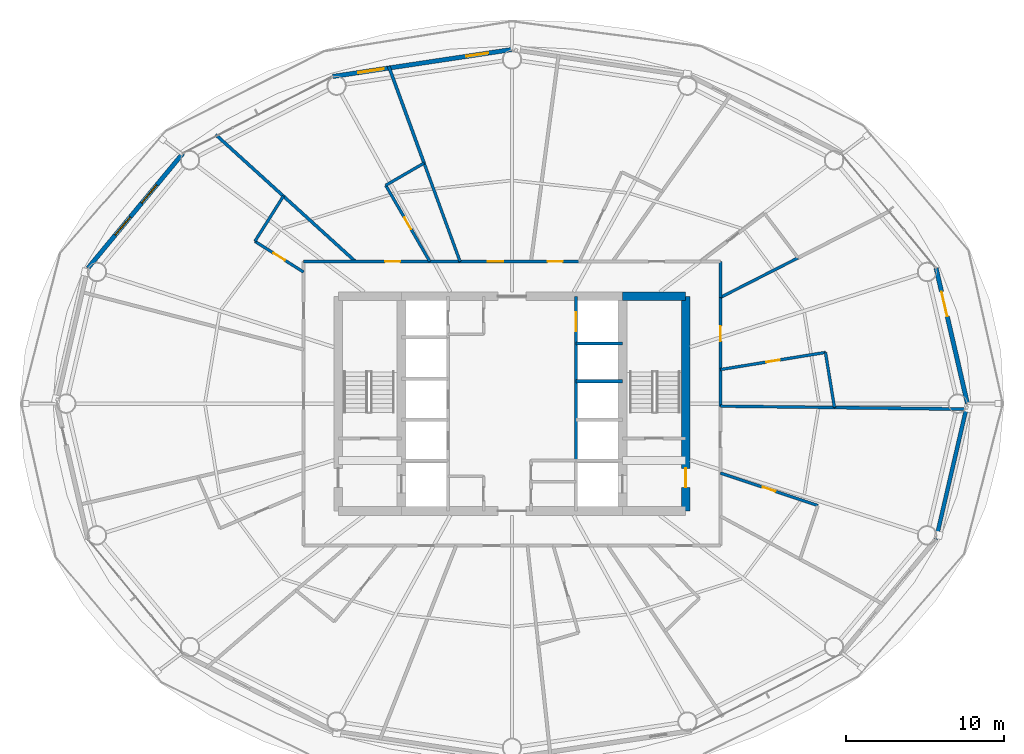
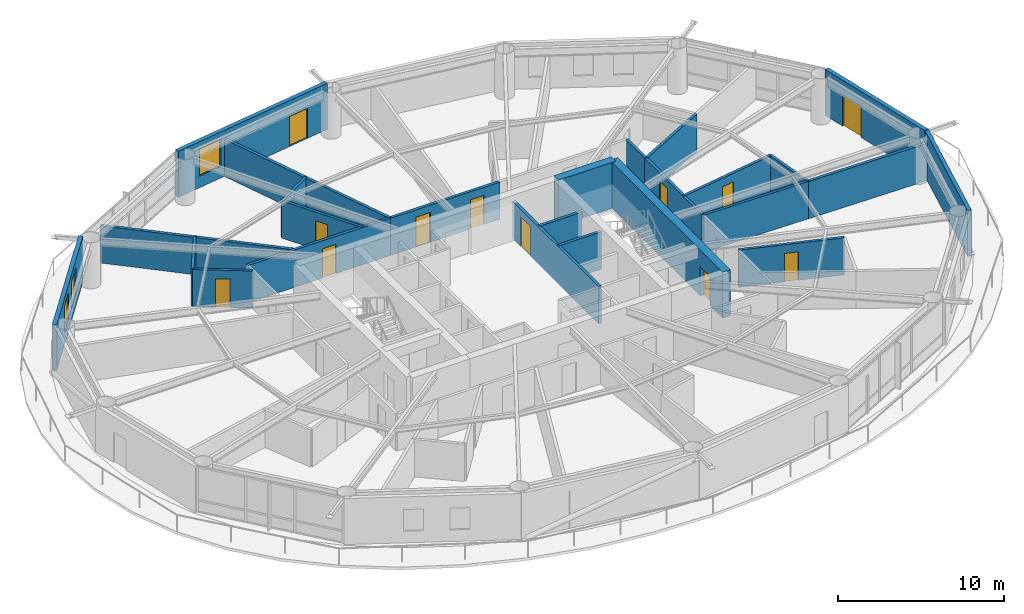
# One storey, part 20 of 24: 26 walls, 12 doors, 3 windows, 15 openings.
"""IFC4 building model written with IfcOpenShell, lengths in metres."""

from ifc_helpers import new_model, si_unit, direction, frame, frame_2d, origin, place, context, subcontext, project, spatial, rectangle, extrude, material, layer, layer_set, type_object, element, fill, save


model = new_model("IFC4")

# Units and contexts
model_context = context("Model", 3, precision=1e-05, world=origin(), true_north=direction((0.0, 1.0)))
body_context = subcontext(model_context, "Body", "Model", "MODEL_VIEW")
ifc_project = project(units=[si_unit("LENGTHUNIT", "METRE"), si_unit("AREAUNIT", "SQUARE_METRE"), si_unit("VOLUMEUNIT", "CUBIC_METRE"), si_unit("PLANEANGLEUNIT", "RADIAN"), si_unit("MASSUNIT", "GRAM", prefix="KILO")], contexts=[model_context])

# Site, building, storey
site_placement = place(None, origin())
site = spatial("IfcSite", under=ifc_project, at=site_placement, CompositionType="ELEMENT")
building_placement = place(site_placement, origin())
building = spatial("IfcBuilding", under=site, at=building_placement, Name="Sarneth Arch Tower", CompositionType="ELEMENT")
storey_placement = place(building_placement, frame((0.0, 0.0, 112.800048828125)))
storey = spatial("IfcBuildingStorey", under=building, at=storey_placement, Name="L28", CompositionType="ELEMENT", Elevation=112.800048828125)

# Wall
ifc_material_1 = material(Name="Concrete C60/75", Category="concrete")
ifc_layer_1 = layer(ifc_material_1, 0.550048828125)
ifc_layer_set_1 = layer_set([ifc_layer_1], Name="Concrete C60/75")
wall_type_1 = type_object("IfcWallType", Name="WALL-CORE-550", PredefinedType="SHEAR", material=ifc_layer_set_1)
wall_1_placement = place(storey_placement, frame((55.0, 48.800048828125, 0.0), z_axis=(0.0, 0.0, 1.0), x_axis=(1.0, 0.0, 0.0)))
element("IfcWall", 1, at=wall_1_placement, inside=storey, type_object=wall_type_1, Name="L28 Core shear wall N-E", PredefinedType="SHEAR", context=body_context, shape_type="SweptSolid", body=[
    extrude(rectangle(XDim=4.0, YDim=0.550048828125, at=frame_2d((2.0, 0.0))), origin(), (0.0, 0.0, 1.0), 3.3798828125),
])

# Wall, opening, door
wall_2_placement = place(storey_placement, frame((59.0, 35.199951171875, 0.0), z_axis=(0.0, 0.0, 1.0), x_axis=(0.0, 1.0, 0.0)))
wall_2 = element("IfcWall", 2, at=wall_2_placement, inside=storey, type_object=wall_type_1, Name="L28 Core shear wall E", PredefinedType="SHEAR", context=body_context, shape_type="SweptSolid", body=[
    extrude(rectangle(XDim=13.60009765625, YDim=0.550048828125, at=frame_2d((6.800048828125, 0.0))), origin(), (0.0, 0.0, 1.0), 3.3798828125),
])
opening_1_placement = place(wall_2_placement, frame((1.5, 0.0, 0.0)))
opening_1 = element("IfcOpeningElement", 3, at=opening_1_placement, cuts=wall_2, Name="Opening FD-02", PredefinedType="OPENING", context=body_context, shape_type="SweptSolid", body=[
    extrude(rectangle(XDim=1.199951171875, YDim=2.14990234375, at=frame_2d((0.60009765625, 1.074951171875))), frame((0.0, 0.284912109375, 0.0), z_axis=(0.0, -1.0, 0.0), x_axis=(1.0, 0.0, 0.0)), (0.0, 0.0, 1.0), 0.570068359375),
])
ifc_material_2 = material(Name="Galvanised Steel S275 fire door set", Category="steel")
door_type_1 = type_object("IfcDoorType", Name="DR-FD90-1200", OperationType="SINGLE_SWING_LEFT", PredefinedType="DOOR", material=ifc_material_2)
door_1_placement = place(opening_1_placement, origin())
door_1 = element("IfcDoor", 4, at=door_1_placement, inside=storey, type_object=door_type_1, Name="L28 Firefighting lobby 2 exit door", OperationType="SINGLE_SWING_RIGHT", OverallHeight=2.14990234375, OverallWidth=1.199951171875, PredefinedType="DOOR", context=body_context, shape_type="SweptSolid", body=[
    extrude(rectangle(XDim=1.199951171875, YDim=2.14990234375, at=frame_2d((0.60009765625, 1.074951171875))), frame((0.0, 0.02490234375, 0.0), z_axis=(0.0, -1.0, 0.0), x_axis=(1.0, 0.0, 0.0)), (0.0, 0.0, 1.0), 0.050048828125),
])
fill(opening_1, door_1)

ifc_material_3 = material(Name="Double steel-stud corridor fire wall", Category="steel")
ifc_layer_2 = layer(ifc_material_3, 0.18994140625)
ifc_layer_set_2 = layer_set([ifc_layer_2], Name="Double steel-stud corridor fire wall")
wall_type_2 = type_object("IfcWallType", Name="WALL-CORR-190", PredefinedType="PARTITIONING", material=ifc_layer_set_2)
wall_3_placement = place(storey_placement, frame((34.800048828125, 51.0, 0.0), z_axis=(0.0, 0.0, 1.0), x_axis=(1.0, 0.0, 0.0)))
wall_3 = element("IfcWall", 5, at=wall_3_placement, inside=storey, type_object=wall_type_2, Name="L28 Interior partition W-L28-TP-007", PredefinedType="PARTITIONING", context=body_context, shape_type="SweptSolid", body=[
    extrude(rectangle(XDim=9.944580078125, YDim=0.18994140625, at=frame_2d((4.97216796875, 0.0))), origin(), (0.0, 0.0, 1.0), 2.739990234375),
])
opening_2_placement = place(wall_3_placement, frame((5.159423828125, 0.0, 0.0)))
opening_2 = element("IfcOpeningElement", 6, at=opening_2_placement, cuts=wall_3, Name="Opening FD-09", PredefinedType="OPENING", context=body_context, shape_type="SweptSolid", body=[
    extrude(rectangle(XDim=0.949951171875, YDim=2.14990234375, at=frame_2d((0.47509765625, 1.074951171875))), frame((0.0, 0.10498046875, 0.0), z_axis=(0.0, -1.0, 0.0), x_axis=(1.0, 0.0, 0.0)), (0.0, 0.0, 1.0), 0.2099609375),
])
ifc_material_4 = material(Name="Hardwood timber hotel entrance fire door", Category="wood")
door_type_2 = type_object("IfcDoorType", Name="DR-FD60-950", OperationType="SINGLE_SWING_RIGHT", PredefinedType="DOOR", material=ifc_material_4)
door_2_placement = place(opening_2_placement, origin())
door_2 = element("IfcDoor", 7, at=door_2_placement, inside=storey, type_object=door_type_2, Name="L28 Interior door DR-L28-KEY-04", OperationType="SINGLE_SWING_LEFT", OverallHeight=2.14990234375, OverallWidth=0.949951171875, PredefinedType="DOOR", context=body_context, shape_type="SweptSolid", body=[
    extrude(rectangle(XDim=0.949951171875, YDim=2.14990234375, at=frame_2d((0.47509765625, 1.074951171875))), frame((0.0, 0.02490234375, 0.0), z_axis=(0.0, -1.0, 0.0), x_axis=(1.0, 0.0, 0.0)), (0.0, 0.0, 1.0), 0.050048828125),
])
fill(opening_2, door_2)

wall_4_placement = place(storey_placement, frame((61.199951171875, 41.80859375, 0.0), z_axis=(0.0, 0.0, 1.0), x_axis=(0.0, 1.0, 0.0)))
wall_4 = element("IfcWall", 8, at=wall_4_placement, inside=storey, type_object=wall_type_2, Name="L28 Interior partition W-L28-TP-026", PredefinedType="PARTITIONING", context=body_context, shape_type="SweptSolid", body=[
    extrude(rectangle(XDim=6.9169921875, YDim=0.18994140625, at=frame_2d((3.45849609375, 0.0))), origin(), (0.0, 0.0, 1.0), 2.739990234375),
])
opening_3_placement = place(wall_4_placement, frame((4.157470703125, 0.0, 0.0)))
opening_3 = element("IfcOpeningElement", 9, at=opening_3_placement, cuts=wall_4, Name="Opening FD-09", PredefinedType="OPENING", context=body_context, shape_type="SweptSolid", body=[
    extrude(rectangle(XDim=0.949951171875, YDim=2.14990234375, at=frame_2d((0.47509765625, 1.074951171875))), frame((0.0, 0.10498046875, 0.0), z_axis=(0.0, -1.0, 0.0), x_axis=(1.0, 0.0, 0.0)), (0.0, 0.0, 1.0), 0.2099609375),
])
door_3_placement = place(opening_3_placement, origin())
door_3 = element("IfcDoor", 10, at=door_3_placement, inside=storey, type_object=door_type_2, Name="L28 Interior door DR-L28-KEY-13", OperationType="SINGLE_SWING_RIGHT", OverallHeight=2.14990234375, OverallWidth=0.949951171875, PredefinedType="DOOR", context=body_context, shape_type="SweptSolid", body=[
    extrude(rectangle(XDim=0.949951171875, YDim=2.14990234375, at=frame_2d((0.47509765625, 1.074951171875))), frame((0.0, 0.02490234375, 0.0), z_axis=(0.0, -1.0, 0.0), x_axis=(1.0, 0.0, 0.0)), (0.0, 0.0, 1.0), 0.050048828125),
])
fill(opening_3, door_3)

# Wall, openings, doors
wall_5_placement = place(storey_placement, frame((44.676513671875, 51.0, 0.0), z_axis=(0.0, 0.0, 1.0), x_axis=(1.0, 0.0, 0.0)))
wall_5 = element("IfcWall", 11, at=wall_5_placement, inside=storey, type_object=wall_type_2, Name="L28 Interior partition W-L28-TP-006", PredefinedType="PARTITIONING", context=body_context, shape_type="SweptSolid", body=[
    extrude(rectangle(XDim=7.62060546875, YDim=0.18994140625, at=frame_2d((3.810302734375, 0.0))), origin(), (0.0, 0.0, 1.0), 2.739990234375),
])
opening_4_placement = place(wall_5_placement, frame((1.779541015625, 0.0, 0.0)))
opening_4 = element("IfcOpeningElement", 12, at=opening_4_placement, cuts=wall_5, Name="Opening FD-08", PredefinedType="OPENING", context=body_context, shape_type="SweptSolid", body=[
    extrude(rectangle(XDim=1.0, YDim=2.199951171875, at=frame_2d((0.5, 1.10009765625))), frame((0.0, 0.10498046875, 0.0), z_axis=(0.0, -1.0, 0.0), x_axis=(1.0, 0.0, 0.0)), (0.0, 0.0, 1.0), 0.2099609375),
])
opening_5_placement = place(wall_5_placement, frame((5.58251953125, 0.0, 0.0)))
opening_5 = element("IfcOpeningElement", 13, at=opening_5_placement, cuts=wall_5, Name="Opening FD-09", PredefinedType="OPENING", context=body_context, shape_type="SweptSolid", body=[
    extrude(rectangle(XDim=0.949951171875, YDim=2.14990234375, at=frame_2d((0.47509765625, 1.074951171875))), frame((0.0, 0.10498046875, 0.0), z_axis=(0.0, -1.0, 0.0), x_axis=(1.0, 0.0, 0.0)), (0.0, 0.0, 1.0), 0.2099609375),
])
ifc_material_5 = material(Name="Hardwood timber acoustic fire door", Category="wood")
door_type_3 = type_object("IfcDoorType", Name="DR-FD60-1000", OperationType="SINGLE_SWING_LEFT", PredefinedType="DOOR", material=ifc_material_5)
door_4_placement = place(opening_4_placement, origin())
door_4 = element("IfcDoor", 14, at=door_4_placement, inside=storey, type_object=door_type_3, Name="L28 Interior door DR-L28-AMN-03", OperationType="SINGLE_SWING_RIGHT", OverallHeight=2.199951171875, OverallWidth=1.0, PredefinedType="DOOR", context=body_context, shape_type="SweptSolid", body=[
    extrude(rectangle(XDim=1.0, YDim=2.199951171875, at=frame_2d((0.5, 1.10009765625))), frame((0.0, 0.02490234375, 0.0), z_axis=(0.0, -1.0, 0.0), x_axis=(1.0, 0.0, 0.0)), (0.0, 0.0, 1.0), 0.050048828125),
])
fill(opening_4, door_4)
door_5_placement = place(opening_5_placement, origin())
door_5 = element("IfcDoor", 15, at=door_5_placement, inside=storey, type_object=door_type_2, Name="L28 Interior door DR-L28-KEY-02", OperationType="SINGLE_SWING_RIGHT", OverallHeight=2.14990234375, OverallWidth=0.949951171875, PredefinedType="DOOR", context=body_context, shape_type="SweptSolid", body=[
    extrude(rectangle(XDim=0.949951171875, YDim=2.14990234375, at=frame_2d((0.47509765625, 1.074951171875))), frame((0.0, 0.02490234375, 0.0), z_axis=(0.0, -1.0, 0.0), x_axis=(1.0, 0.0, 0.0)), (0.0, 0.0, 1.0), 0.050048828125),
])
fill(opening_5, door_5)

# Wall
ifc_material_6 = material(Name="Extruded terracotta rainscreen on Concrete C40/50 backing", Category="masonry")
ifc_layer_3 = layer(ifc_material_6, 0.25)
ifc_layer_set_3 = layer_set([ifc_layer_3], Name="Extruded terracotta rainscreen on Concrete C40/50 backing")
wall_type_3 = type_object("IfcWallType", Name="WALL-EXT-SPAND-250", PredefinedType="SOLIDWALL", material=ifc_layer_set_3)
wall_6_placement = place(storey_placement, frame((74.861328125, 33.41650390625, 0.0), z_axis=(0.0, 0.0, 1.0), x_axis=(0.22558597182, 0.974223264616, 0.0)))
element("IfcWall", 16, at=wall_6_placement, inside=storey, type_object=wall_type_3, Name="L28 Terracotta perimeter wall 16", PredefinedType="SOLIDWALL", context=body_context, shape_type="SweptSolid", body=[
    extrude(rectangle(XDim=8.810546875, YDim=0.25, at=frame_2d((4.4052734375, 0.0))), origin(), (0.0, 0.0, 1.0), 3.3798828125),
])

# Wall, opening, door
ifc_material_7 = material(Name="Extruded terracotta rainscreen on Concrete C40/50 backing", Category="masonry")
ifc_layer_4 = layer(ifc_material_7, 0.280029296875)
ifc_layer_set_4 = layer_set([ifc_layer_4], Name="Extruded terracotta rainscreen on Concrete C40/50 backing")
wall_type_4 = type_object("IfcWallType", Name="WALL-EXT-TERRA-280", PredefinedType="SOLIDWALL", material=ifc_layer_set_4)
wall_7_placement = place(storey_placement, frame((76.848876953125, 42.0, 0.0), z_axis=(0.0, 0.0, 1.0), x_axis=(-0.22558597182, 0.974223264616, 0.0)))
wall_7 = element("IfcWall", 17, at=wall_7_placement, inside=storey, type_object=wall_type_4, Name="L28 Terracotta perimeter wall 01", PredefinedType="SOLIDWALL", context=body_context, shape_type="SweptSolid", body=[
    extrude(rectangle(XDim=8.810546875, YDim=0.280029296875, at=frame_2d((4.4052734375, 0.0))), origin(), (0.0, 0.0, 1.0), 3.3798828125),
])
opening_6_placement = place(wall_7_placement, frame((5.674560546875, 0.0, 0.0)))
opening_6 = element("IfcOpeningElement", 18, at=opening_6_placement, cuts=wall_7, Name="Opening BD-1", PredefinedType="OPENING", context=body_context, shape_type="SweptSolid", body=[
    extrude(rectangle(XDim=1.60009765625, YDim=2.25, at=frame_2d((0.800048828125, 1.125))), frame((0.0, 0.14990234375, 0.0), z_axis=(0.0, -1.0, 0.0), x_axis=(1.0, 0.0, 0.0)), (0.0, 0.0, 1.0), 0.300048828125),
])
ifc_material_8 = material(Name="Thermally broken Aluminium 6063-T6 and laminated safety glass", Category="aluminium")
door_type_4 = type_object("IfcDoorType", Name="DR-BALC-GLZ-1600", OperationType="DOUBLE_DOOR_SINGLE_SWING", PredefinedType="DOOR", material=ifc_material_8)
door_6_placement = place(opening_6_placement, origin())
door_6 = element("IfcDoor", 19, at=door_6_placement, inside=storey, type_object=door_type_4, Name="L28 Balcony glazed door 01", OperationType="DOUBLE_DOOR_SINGLE_SWING", OverallHeight=2.25, OverallWidth=1.60009765625, PredefinedType="DOOR", context=body_context, shape_type="SweptSolid", body=[
    extrude(rectangle(XDim=1.60009765625, YDim=2.25, at=frame_2d((0.800048828125, 1.125))), frame((0.0, 0.02490234375, 0.0), z_axis=(0.0, -1.0, 0.0), x_axis=(1.0, 0.0, 0.0)), (0.0, 0.0, 1.0), 0.050048828125),
])
fill(opening_6, door_6)

# Wall, openings, door, window
wall_8_placement = place(storey_placement, frame((48.0, 64.429931640625, 0.0), z_axis=(0.0, 0.0, 1.0), x_axis=(-0.988877774656, -0.148730450117, 0.0)))
wall_8 = element("IfcWall", 20, at=wall_8_placement, inside=storey, type_object=wall_type_4, Name="L28 Terracotta perimeter wall 05", PredefinedType="SOLIDWALL", context=body_context, shape_type="SweptSolid", body=[
    extrude(rectangle(XDim=11.47900390625, YDim=0.280029296875, at=frame_2d((5.739501953125, 0.0))), origin(), (0.0, 0.0, 1.0), 3.3798828125),
])
opening_7_placement = place(wall_8_placement, frame((1.523681640625, 0.0, 0.0)))
opening_7 = element("IfcOpeningElement", 21, at=opening_7_placement, cuts=wall_8, Name="Opening BD-2", PredefinedType="OPENING", context=body_context, shape_type="SweptSolid", body=[
    extrude(rectangle(XDim=1.39990234375, YDim=2.199951171875, at=frame_2d((0.699951171875, 1.10009765625))), frame((0.0, 0.14990234375, 0.0), z_axis=(0.0, -1.0, 0.0), x_axis=(1.0, 0.0, 0.0)), (0.0, 0.0, 1.0), 0.300048828125),
])
opening_8_placement = place(wall_8_placement, frame((8.20458984375, 0.0, 0.85009765625)))
opening_8 = element("IfcOpeningElement", 22, at=opening_8_placement, cuts=wall_8, Name="Opening W-05", PredefinedType="OPENING", context=body_context, shape_type="SweptSolid", body=[
    extrude(rectangle(XDim=1.64990234375, YDim=2.0, at=frame_2d((0.824951171875, 1.0))), frame((0.0, 0.14990234375, 0.0), z_axis=(0.0, -1.0, 0.0), x_axis=(1.0, 0.0, 0.0)), (0.0, 0.0, 1.0), 0.300048828125),
])
ifc_material_9 = material(Name="Thermally broken Aluminium 6063-T6 and laminated safety glass", Category="aluminium")
door_type_5 = type_object("IfcDoorType", Name="DR-BALC-GLZ-1400", OperationType="SINGLE_SWING_LEFT", PredefinedType="DOOR", material=ifc_material_9)
door_7_placement = place(opening_7_placement, origin())
door_7 = element("IfcDoor", 23, at=door_7_placement, inside=storey, type_object=door_type_5, Name="L28 Balcony glazed door 05", OperationType="SINGLE_SWING_LEFT", OverallHeight=2.199951171875, OverallWidth=1.39990234375, PredefinedType="DOOR", context=body_context, shape_type="SweptSolid", body=[
    extrude(rectangle(XDim=1.39990234375, YDim=2.199951171875, at=frame_2d((0.699951171875, 1.10009765625))), frame((0.0, 0.02490234375, 0.0), z_axis=(0.0, -1.0, 0.0), x_axis=(1.0, 0.0, 0.0)), (0.0, 0.0, 1.0), 0.050048828125),
])
fill(opening_7, door_7)
ifc_material_10 = material(Name="Thermally broken Aluminium 6063-T6 and low-e laminated IGU", Category="aluminium")
window_type_1 = type_object("IfcWindowType", Name="WIN-TWR-1650x2000", PartitioningType="DOUBLE_PANEL_VERTICAL", PredefinedType="WINDOW", material=ifc_material_10)
window_1_placement = place(opening_8_placement, origin())
window_1 = element("IfcWindow", 24, at=window_1_placement, inside=storey, type_object=window_type_1, Name="L28 Exterior window 05A", OverallHeight=2.0, OverallWidth=1.64990234375, PartitioningType="SINGLE_PANEL", PredefinedType="WINDOW", context=body_context, shape_type="SweptSolid", body=[
    extrude(rectangle(XDim=1.64990234375, YDim=2.0, at=frame_2d((0.824951171875, 1.0))), frame((0.0, 0.030029296875, 0.0), z_axis=(0.0, -1.0, 0.0), x_axis=(1.0, 0.0, 0.0)), (0.0, 0.0, 1.0), 0.06005859375),
])
fill(opening_8, window_1)

# Wall, openings, windows
wall_9_placement = place(storey_placement, frame((27.159912109375, 57.8603515625, 0.0), z_axis=(0.0, 0.0, 1.0), x_axis=(-0.637505817448, -0.770445541696, 0.0)))
wall_9 = element("IfcWall", 25, at=wall_9_placement, inside=storey, type_object=wall_type_4, Name="L28 Terracotta perimeter wall 07", PredefinedType="SOLIDWALL", context=body_context, shape_type="SweptSolid", body=[
    extrude(rectangle(XDim=9.445068359375, YDim=0.280029296875, at=frame_2d((4.72265625, 0.0))), origin(), (0.0, 0.0, 1.0), 3.3798828125),
])
opening_9_placement = place(wall_9_placement, frame((2.5966796875, 0.0, 0.85009765625)))
opening_9 = element("IfcOpeningElement", 26, at=opening_9_placement, cuts=wall_9, Name="Opening W-06", PredefinedType="OPENING", context=body_context, shape_type="SweptSolid", body=[
    extrude(rectangle(XDim=1.5, YDim=2.0, at=frame_2d((0.75, 1.0))), frame((0.0, 0.14990234375, 0.0), z_axis=(0.0, -1.0, 0.0), x_axis=(1.0, 0.0, 0.0)), (0.0, 0.0, 1.0), 0.300048828125),
])
opening_10_placement = place(wall_9_placement, frame((5.23193359375, 0.0, 0.85009765625)))
opening_10 = element("IfcOpeningElement", 27, at=opening_10_placement, cuts=wall_9, Name="Opening W-06", PredefinedType="OPENING", context=body_context, shape_type="SweptSolid", body=[
    extrude(rectangle(XDim=1.5, YDim=2.0, at=frame_2d((0.75, 1.0))), frame((0.0, 0.14990234375, 0.0), z_axis=(0.0, -1.0, 0.0), x_axis=(1.0, 0.0, 0.0)), (0.0, 0.0, 1.0), 0.300048828125),
])
ifc_material_11 = material(Name="Thermally broken Aluminium 6063-T6 and low-e laminated IGU", Category="aluminium")
window_type_2 = type_object("IfcWindowType", Name="WIN-TWR-1500x2000", PartitioningType="SINGLE_PANEL", PredefinedType="WINDOW", material=ifc_material_11)
window_2_placement = place(opening_9_placement, origin())
window_2 = element("IfcWindow", 28, at=window_2_placement, inside=storey, type_object=window_type_2, Name="L28 Exterior window 07A", OverallHeight=2.0, OverallWidth=1.5, PartitioningType="SINGLE_PANEL", PredefinedType="WINDOW", context=body_context, shape_type="SweptSolid", body=[
    extrude(rectangle(XDim=1.5, YDim=2.0, at=frame_2d((0.75, 1.0))), frame((0.0, 0.030029296875, 0.0), z_axis=(0.0, -1.0, 0.0), x_axis=(1.0, 0.0, 0.0)), (0.0, 0.0, 1.0), 0.06005859375),
])
fill(opening_9, window_2)
window_3_placement = place(opening_10_placement, origin())
window_3 = element("IfcWindow", 29, at=window_3_placement, inside=storey, type_object=window_type_2, Name="L28 Exterior window 07B", OverallHeight=2.0, OverallWidth=1.5, PartitioningType="SINGLE_PANEL", PredefinedType="WINDOW", context=body_context, shape_type="SweptSolid", body=[
    extrude(rectangle(XDim=1.5, YDim=2.0, at=frame_2d((0.75, 1.0))), frame((0.0, 0.030029296875, 0.0), z_axis=(0.0, -1.0, 0.0), x_axis=(1.0, 0.0, 0.0)), (0.0, 0.0, 1.0), 0.06005859375),
])
fill(opening_10, window_3)

# Wall
ifc_material_12 = material(Name="Moisture-resistant plumbing chase wall", Category="gypsum")
ifc_layer_5 = layer(ifc_material_12, 0.179931640625)
ifc_layer_set_5 = layer_set([ifc_layer_5], Name="Moisture-resistant plumbing chase wall")
wall_type_5 = type_object("IfcWallType", Name="WALL-PLUMB-180", PredefinedType="PLUMBINGWALL", material=ifc_layer_set_5)
wall_10_placement = place(storey_placement, frame((68.4248046875, 41.753173828125, 0.0), z_axis=(0.0, 0.0, 1.0), x_axis=(-0.999926833816, 0.012096570355, 0.0)))
element("IfcWall", 30, at=wall_10_placement, inside=storey, type_object=wall_type_5, Name="L28 Interior partition W-L28-TP-068", PredefinedType="PLUMBINGWALL", context=body_context, shape_type="SweptSolid", body=[
    extrude(rectangle(XDim=7.225341796875, YDim=0.179931640625, at=frame_2d((3.61279296875, 0.0))), origin(), (0.0, 0.0, 1.0), 2.739990234375),
])

# Wall, opening, door
wall_11_placement = place(storey_placement, frame((61.199951171875, 44.156005859375, 0.0), z_axis=(0.0, 0.0, 1.0), x_axis=(0.986917247844, 0.161227621419, 0.0)))
wall_11 = element("IfcWall", 31, at=wall_11_placement, inside=storey, type_object=wall_type_5, Name="L28 Interior partition W-L28-TP-069", PredefinedType="PLUMBINGWALL", context=body_context, shape_type="SweptSolid", body=[
    extrude(rectangle(XDim=6.742919921875, YDim=0.179931640625, at=frame_2d((3.37158203125, 0.0))), origin(), (0.0, 0.0, 1.0), 2.739990234375),
])
opening_11_placement = place(wall_11_placement, frame((2.9462890625, 0.0, 0.0)))
opening_11 = element("IfcOpeningElement", 32, at=opening_11_placement, cuts=wall_11, Name="Opening ID-02", PredefinedType="OPENING", context=body_context, shape_type="SweptSolid", body=[
    extrude(rectangle(XDim=0.85009765625, YDim=2.10009765625, at=frame_2d((0.425048828125, 1.050048828125))), frame((0.0, 0.099853515625, 0.0), z_axis=(0.0, -1.0, 0.0), x_axis=(1.0, 0.0, 0.0)), (0.0, 0.0, 1.0), 0.199951171875),
])
ifc_material_13 = material(Name="Moisture-resistant bathroom timber door", Category="wood")
door_type_6 = type_object("IfcDoorType", Name="DR-INT-850", OperationType="SINGLE_SWING_RIGHT", PredefinedType="DOOR", material=ifc_material_13)
door_8_placement = place(opening_11_placement, origin())
door_8 = element("IfcDoor", 33, at=door_8_placement, inside=storey, type_object=door_type_6, Name="L28 Interior door DR-L28-ENS-13", OperationType="SINGLE_SWING_LEFT", OverallHeight=2.10009765625, OverallWidth=0.85009765625, PredefinedType="DOOR", context=body_context, shape_type="SweptSolid", body=[
    extrude(rectangle(XDim=0.85009765625, YDim=2.10009765625, at=frame_2d((0.425048828125, 1.050048828125))), frame((0.0, 0.02490234375, 0.0), z_axis=(0.0, -1.0, 0.0), x_axis=(1.0, 0.0, 0.0)), (0.0, 0.0, 1.0), 0.050048828125),
])
fill(opening_11, door_8)

# Wall
wall_12_placement = place(storey_placement, frame((42.431884765625, 57.234375, 0.0), z_axis=(0.0, 0.0, 1.0), x_axis=(0.343307767445, -0.939222964376, 0.0)))
element("IfcWall", 34, at=wall_12_placement, inside=storey, type_object=wall_type_5, Name="L28 Interior partition W-L28-TP-038", PredefinedType="PLUMBINGWALL", context=body_context, shape_type="SweptSolid", body=[
    extrude(rectangle(XDim=6.6376953125, YDim=0.179931640625, at=frame_2d((3.31884765625, 0.0))), origin(), (0.0, 0.0, 1.0), 2.739990234375),
])

# Wall, opening, door
wall_13_placement = place(storey_placement, frame((61.199951171875, 37.60498046875, 0.0), z_axis=(0.0, 0.0, 1.0), x_axis=(0.948788249983, -0.315912735884, 0.0)))
wall_13 = element("IfcWall", 35, at=wall_13_placement, inside=storey, type_object=wall_type_5, Name="L28 Interior partition W-L28-TP-065", PredefinedType="PLUMBINGWALL", context=body_context, shape_type="SweptSolid", body=[
    extrude(rectangle(XDim=6.51025390625, YDim=0.179931640625, at=frame_2d((3.255126953125, 0.0))), origin(), (0.0, 0.0, 1.0), 2.739990234375),
])
opening_12_placement = place(wall_13_placement, frame((2.830078125, 0.0, 0.0)))
opening_12 = element("IfcOpeningElement", 36, at=opening_12_placement, cuts=wall_13, Name="Opening ID-02", PredefinedType="OPENING", context=body_context, shape_type="SweptSolid", body=[
    extrude(rectangle(XDim=0.85009765625, YDim=2.10009765625, at=frame_2d((0.425048828125, 1.050048828125))), frame((0.0, 0.099853515625, 0.0), z_axis=(0.0, -1.0, 0.0), x_axis=(1.0, 0.0, 0.0)), (0.0, 0.0, 1.0), 0.199951171875),
])
door_9_placement = place(opening_12_placement, origin())
door_9 = element("IfcDoor", 37, at=door_9_placement, inside=storey, type_object=door_type_6, Name="L28 Interior door DR-L28-ENS-12", OperationType="SINGLE_SWING_LEFT", OverallHeight=2.10009765625, OverallWidth=0.85009765625, PredefinedType="DOOR", context=body_context, shape_type="SweptSolid", body=[
    extrude(rectangle(XDim=0.85009765625, YDim=2.10009765625, at=frame_2d((0.425048828125, 1.050048828125))), frame((0.0, 0.02490234375, 0.0), z_axis=(0.0, -1.0, 0.0), x_axis=(1.0, 0.0, 0.0)), (0.0, 0.0, 1.0), 0.050048828125),
])
fill(opening_12, door_9)

wall_14_placement = place(storey_placement, frame((42.794189453125, 51.0, 0.0), z_axis=(0.0, 0.0, 1.0), x_axis=(-0.500713600684, 0.865613014049, 0.0)))
wall_14 = element("IfcWall", 38, at=wall_14_placement, inside=storey, type_object=wall_type_5, Name="L28 Interior partition W-L28-TP-039", PredefinedType="PLUMBINGWALL", context=body_context, shape_type="SweptSolid", body=[
    extrude(rectangle(XDim=5.577880859375, YDim=0.179931640625, at=frame_2d((2.7890625, 0.0))), origin(), (0.0, 0.0, 1.0), 2.739990234375),
])
opening_13_placement = place(wall_14_placement, frame((2.364013671875, 0.0, 0.0)))
opening_13 = element("IfcOpeningElement", 39, at=opening_13_placement, cuts=wall_14, Name="Opening ID-02", PredefinedType="OPENING", context=body_context, shape_type="SweptSolid", body=[
    extrude(rectangle(XDim=0.85009765625, YDim=2.10009765625, at=frame_2d((0.425048828125, 1.050048828125))), frame((0.0, 0.099853515625, 0.0), z_axis=(0.0, -1.0, 0.0), x_axis=(1.0, 0.0, 0.0)), (0.0, 0.0, 1.0), 0.199951171875),
])
door_10_placement = place(opening_13_placement, origin())
door_10 = element("IfcDoor", 40, at=door_10_placement, inside=storey, type_object=door_type_6, Name="L28 Interior door DR-L28-ENS-04", OperationType="SINGLE_SWING_LEFT", OverallHeight=2.10009765625, OverallWidth=0.85009765625, PredefinedType="DOOR", context=body_context, shape_type="SweptSolid", body=[
    extrude(rectangle(XDim=0.85009765625, YDim=2.10009765625, at=frame_2d((0.425048828125, 1.050048828125))), frame((0.0, 0.02490234375, 0.0), z_axis=(0.0, -1.0, 0.0), x_axis=(1.0, 0.0, 0.0)), (0.0, 0.0, 1.0), 0.050048828125),
])
fill(opening_13, door_10)

# Wall
wall_15_placement = place(storey_placement, frame((66.117919921875, 51.2314453125, 0.0), z_axis=(0.0, 0.0, 1.0), x_axis=(-0.891004388837, -0.453994690579, 0.0)))
element("IfcWall", 41, at=wall_15_placement, inside=storey, type_object=wall_type_5, Name="L28 Interior partition W-L28-TP-033", PredefinedType="PLUMBINGWALL", context=body_context, shape_type="SweptSolid", body=[
    extrude(rectangle(XDim=5.51953125, YDim=0.179931640625, at=frame_2d((2.759765625, 0.0))), origin(), (0.0, 0.0, 1.0), 2.739990234375),
])

# Wall, opening, door
wall_16_placement = place(storey_placement, frame((31.71484375, 52.27978515625, 0.0), z_axis=(0.0, 0.0, 1.0), x_axis=(0.845617675202, -0.533789047645, 0.0)))
wall_16 = element("IfcWall", 42, at=wall_16_placement, inside=storey, type_object=wall_type_5, Name="L28 Interior partition W-L28-TP-044", PredefinedType="PLUMBINGWALL", context=body_context, shape_type="SweptSolid", body=[
    extrude(rectangle(XDim=3.6484375, YDim=0.179931640625, at=frame_2d((1.82421875, 0.0))), origin(), (0.0, 0.0, 1.0), 2.739990234375),
])
opening_14_placement = place(wall_16_placement, frame((1.399169921875, 0.0, 0.0)))
opening_14 = element("IfcOpeningElement", 43, at=opening_14_placement, cuts=wall_16, Name="Opening ID-02", PredefinedType="OPENING", context=body_context, shape_type="SweptSolid", body=[
    extrude(rectangle(XDim=0.85009765625, YDim=2.10009765625, at=frame_2d((0.425048828125, 1.050048828125))), frame((0.0, 0.099853515625, 0.0), z_axis=(0.0, -1.0, 0.0), x_axis=(1.0, 0.0, 0.0)), (0.0, 0.0, 1.0), 0.199951171875),
])
door_11_placement = place(opening_14_placement, origin())
door_11 = element("IfcDoor", 44, at=door_11_placement, inside=storey, type_object=door_type_6, Name="L28 Interior door DR-L28-ENS-05", OperationType="SINGLE_SWING_LEFT", OverallHeight=2.10009765625, OverallWidth=0.85009765625, PredefinedType="DOOR", context=body_context, shape_type="SweptSolid", body=[
    extrude(rectangle(XDim=0.85009765625, YDim=2.10009765625, at=frame_2d((0.425048828125, 1.050048828125))), frame((0.0, 0.02490234375, 0.0), z_axis=(0.0, -1.0, 0.0), x_axis=(1.0, 0.0, 0.0)), (0.0, 0.0, 1.0), 0.050048828125),
])
fill(opening_14, door_11)

# Walls
wall_17_placement = place(storey_placement, frame((67.854736328125, 45.2431640625, 0.0), z_axis=(0.0, 0.0, 1.0), x_axis=(0.161207379819, -0.986920554397, 0.0)))
element("IfcWall", 45, at=wall_17_placement, inside=storey, type_object=wall_type_5, Name="L28 Interior partition W-L28-TP-070", PredefinedType="PLUMBINGWALL", context=body_context, shape_type="SweptSolid", body=[
    extrude(rectangle(XDim=3.5361328125, YDim=0.179931640625, at=frame_2d((1.76806640625, 0.0))), origin(), (0.0, 0.0, 1.0), 2.739990234375),
])
wall_18_placement = place(storey_placement, frame((33.521728515625, 55.14208984375, 0.0), z_axis=(0.0, 0.0, 1.0), x_axis=(-0.533805735916, -0.845607140641, 0.0)))
element("IfcWall", 46, at=wall_18_placement, inside=storey, type_object=wall_type_5, Name="L28 Interior partition W-L28-TP-043", PredefinedType="PLUMBINGWALL", context=body_context, shape_type="SweptSolid", body=[
    extrude(rectangle(XDim=3.385009765625, YDim=0.179931640625, at=frame_2d((1.6923828125, 0.0))), origin(), (0.0, 0.0, 1.0), 2.739990234375),
])
wall_19_placement = place(storey_placement, frame((40.001220703125, 55.828369140625, 0.0), z_axis=(0.0, 0.0, 1.0), x_axis=(0.865614723212, 0.50071064594, 0.0)))
element("IfcWall", 47, at=wall_19_placement, inside=storey, type_object=wall_type_5, Name="L28 Interior partition W-L28-TP-040", PredefinedType="PLUMBINGWALL", context=body_context, shape_type="SweptSolid", body=[
    extrude(rectangle(XDim=2.80810546875, YDim=0.179931640625, at=frame_2d((1.404052734375, 0.0))), origin(), (0.0, 0.0, 1.0), 2.739990234375),
])
wall_20_placement = place(storey_placement, frame((61.199951171875, 48.7255859375, 0.0), z_axis=(0.0, 0.0, 1.0), x_axis=(0.0, 1.0, 0.0)))
element("IfcWall", 48, at=wall_20_placement, inside=storey, type_object=wall_type_5, Name="L28 Interior partition W-L28-TP-002", PredefinedType="PLUMBINGWALL", context=body_context, shape_type="SweptSolid", body=[
    extrude(rectangle(XDim=2.2744140625, YDim=0.179931640625, at=frame_2d((1.13720703125, 0.0))), origin(), (0.0, 0.0, 1.0), 2.739990234375),
])

# Wall, opening, door
ifc_material_14 = material(Name="Aerated concrete blockwork C25/30", Category="masonry")
ifc_layer_6 = layer(ifc_material_14, 0.199951171875)
ifc_layer_set_6 = layer_set([ifc_layer_6], Name="Aerated concrete blockwork C25/30")
wall_type_6 = type_object("IfcWallType", Name="WALL-SHAFT-200", PredefinedType="SOLIDWALL", material=ifc_layer_set_6)
wall_21_placement = place(storey_placement, frame((52.050048828125, 38.39990234375, 0.0), z_axis=(0.0, 0.0, 1.0), x_axis=(0.0, 1.0, 0.0)))
wall_21 = element("IfcWall", 49, at=wall_21_placement, inside=storey, type_object=wall_type_6, Name="L28 Interior partition W-L28-EASTBANK-FRONT", PredefinedType="SOLIDWALL", context=body_context, shape_type="SweptSolid", body=[
    extrude(rectangle(XDim=10.400146484375, YDim=0.199951171875, at=frame_2d((5.2001953125, 0.0))), origin(), (0.0, 0.0, 1.0), 2.739990234375),
])
opening_15_placement = place(wall_21_placement, frame((8.199951171875, 0.0, 0.0)))
opening_15 = element("IfcOpeningElement", 50, at=opening_15_placement, cuts=wall_21, Name="Opening LD-2", PredefinedType="OPENING", context=body_context, shape_type="SweptSolid", body=[
    extrude(rectangle(XDim=1.199951171875, YDim=2.199951171875, at=frame_2d((0.60009765625, 1.10009765625))), frame((0.0, 0.10986328125, 0.0), z_axis=(0.0, -1.0, 0.0), x_axis=(1.0, 0.0, 0.0)), (0.0, 0.0, 1.0), 0.219970703125),
])
ifc_material_15 = material(Name="Brushed Stainless Steel 304 service lift door", Category="steel")
door_type_7 = type_object("IfcDoorType", Name="DR-LIFT-SLIDE-1200", OperationType="SLIDING_TO_RIGHT", PredefinedType="DOOR", material=ifc_material_15)
door_12_placement = place(opening_15_placement, origin())
door_12 = element("IfcDoor", 51, at=door_12_placement, inside=storey, type_object=door_type_7, Name="L28 Lift landing door DR-L28-LD-SL1", OperationType="SLIDING_TO_RIGHT", OverallHeight=2.199951171875, OverallWidth=1.199951171875, PredefinedType="DOOR", context=body_context, shape_type="SweptSolid", body=[
    extrude(rectangle(XDim=1.199951171875, YDim=2.199951171875, at=frame_2d((0.60009765625, 1.10009765625))), frame((0.0, 0.02490234375, 0.0), z_axis=(0.0, -1.0, 0.0), x_axis=(1.0, 0.0, 0.0)), (0.0, 0.0, 1.0), 0.050048828125),
])
fill(opening_15, door_12)

# Walls
for number, where, z_axis, x_axis, name in (
    (52, (52.050048828125, 43.419921875, 0.0), (0.0, 0.0, 1.0), (1.0, 0.0, 0.0), "L28 Interior partition W-L28-EB-DIV-4342"),
    (53, (52.050048828125, 45.800048828125, 0.0), (0.0, 0.0, 1.0), (1.0, 0.0, 0.0), "L28 Interior partition W-L28-EB-DIV-4580"),
):
    element("IfcWall", number, at=place(storey_placement, frame(where, z_axis=z_axis, x_axis=x_axis)), inside=storey, type_object=wall_type_6, Name=name, PredefinedType="SOLIDWALL", context=body_context, shape_type="SweptSolid", body=[
        extrude(rectangle(XDim=2.949951171875, YDim=0.199951171875, at=frame_2d((1.47509765625, 0.0))), origin(), (0.0, 0.0, 1.0), 2.739990234375),
    ])
ifc_material_16 = material(Name="Double steel-stud acoustic drywall", Category="steel")
ifc_layer_7 = layer(ifc_material_16, 0.199951171875)
ifc_layer_set_7 = layer_set([ifc_layer_7], Name="Double steel-stud acoustic drywall")
wall_type_7 = type_object("IfcWallType", Name="WALL-UNIT-200", PredefinedType="PARTITIONING", material=ifc_layer_set_7)
wall_22_placement = place(storey_placement, frame((76.888427734375, 41.65087890625, 0.0), z_axis=(0.0, 0.0, 1.0), x_axis=(-0.9999269672, 0.012085539541, 0.0)))
element("IfcWall", 54, at=wall_22_placement, inside=storey, type_object=wall_type_7, Name="L28 Interior partition W-L28-TP-067", PredefinedType="PARTITIONING", context=body_context, shape_type="SweptSolid", body=[
    extrude(rectangle(XDim=8.46435546875, YDim=0.199951171875, at=frame_2d((4.232177734375, 0.0))), origin(), (0.0, 0.0, 1.0), 2.739990234375),
])
wall_23_placement = place(storey_placement, frame((40.18798828125, 63.373779296875, 0.0), z_axis=(0.0, 0.0, 1.0), x_axis=(0.343281030887, -0.939232736777, 0.0)))
element("IfcWall", 55, at=wall_23_placement, inside=storey, type_object=wall_type_7, Name="L28 Interior partition W-L28-TP-037", PredefinedType="PARTITIONING", context=body_context, shape_type="SweptSolid", body=[
    extrude(rectangle(XDim=6.53662109375, YDim=0.199951171875, at=frame_2d((3.268310546875, 0.0))), origin(), (0.0, 0.0, 1.0), 2.739990234375),
])
wall_24_placement = place(storey_placement, frame((38.085205078125, 51.0, 0.0), z_axis=(0.0, 0.0, 1.0), x_axis=(-0.74043922717, 0.672123315224, 0.0)))
element("IfcWall", 56, at=wall_24_placement, inside=storey, type_object=wall_type_7, Name="L28 Interior partition W-L28-TP-042", PredefinedType="PARTITIONING", context=body_context, shape_type="SweptSolid", body=[
    extrude(rectangle(XDim=11.96826171875, YDim=0.199951171875, at=frame_2d((5.984130859375, 0.0))), origin(), (0.0, 0.0, 1.0), 2.739990234375),
])

save(model, "model.ifc")
